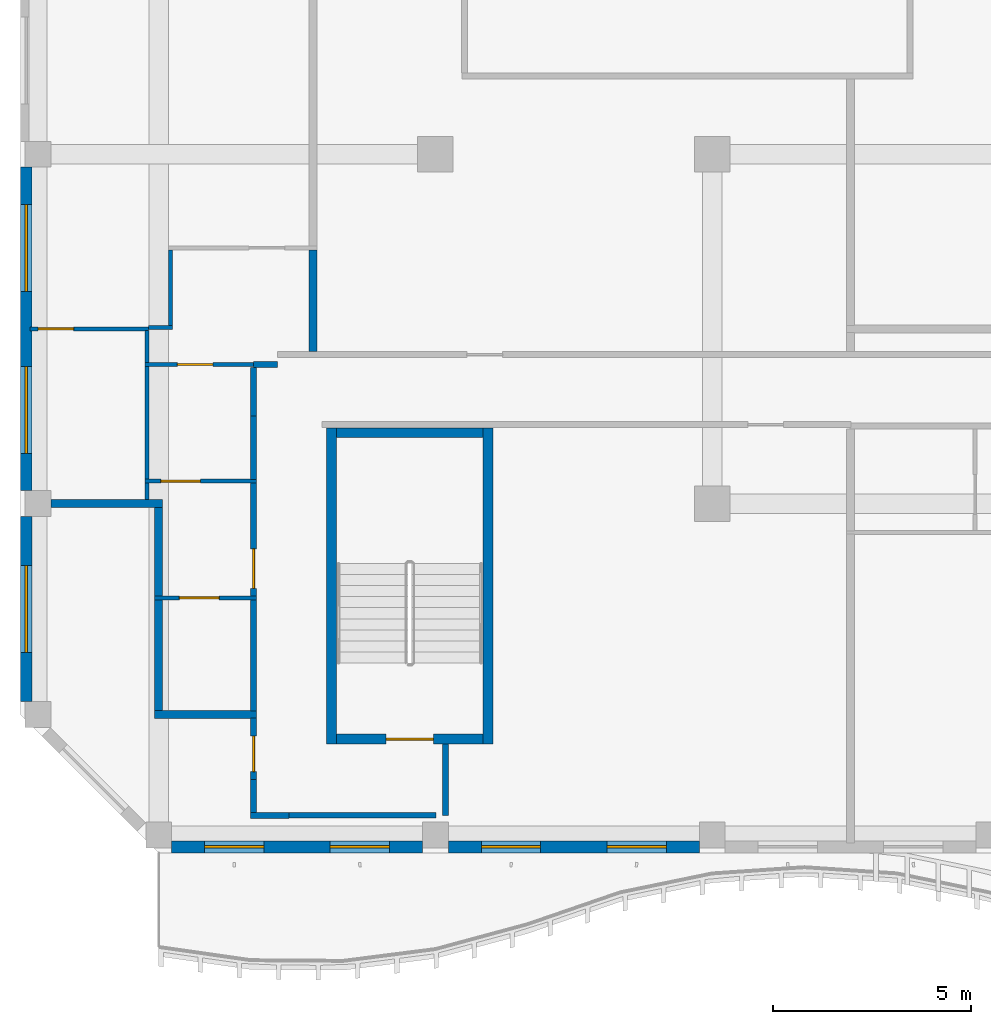
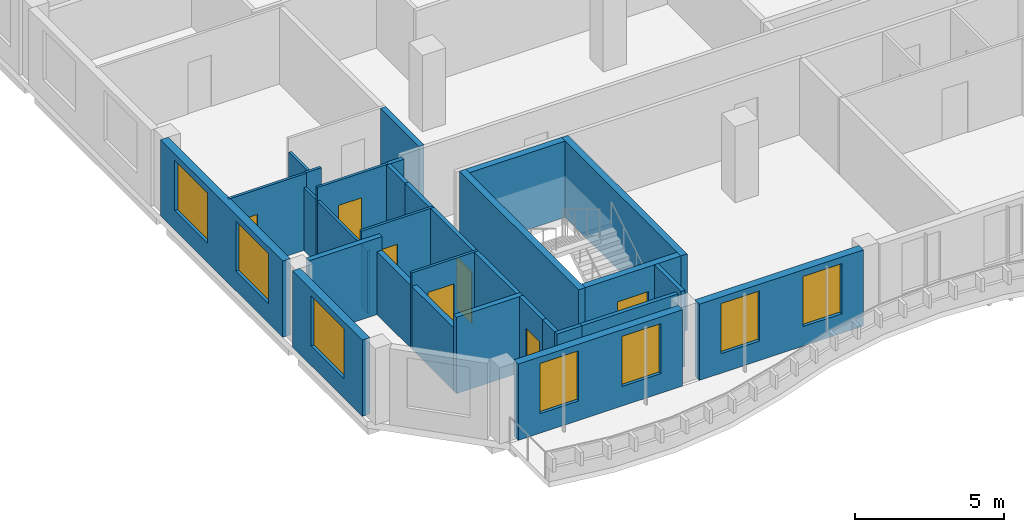
# One storey, part 2 of 17: 32 walls, 7 doors, 7 windows, 14 openings.
"""IFC4 building model written with IfcOpenShell, lengths in metres."""

from ifc_helpers import new_model, si_unit, direction, frame, frame_2d, origin, place, context, subcontext, project, spatial, rectangle, extrude, source, transform, mapped, material, layer, layer_set, type_object, element, fill, save


model = new_model("IFC4")

# Units and contexts
model_context = context("Model", 3, precision=1e-05, world=origin(), true_north=direction((0.0, 1.0)))
body_context = subcontext(model_context, "Body", "Model", "MODEL_VIEW")
ifc_project = project(units=[si_unit("LENGTHUNIT", "METRE"), si_unit("AREAUNIT", "SQUARE_METRE"), si_unit("VOLUMEUNIT", "CUBIC_METRE"), si_unit("PLANEANGLEUNIT", "RADIAN"), si_unit("MASSUNIT", "GRAM", prefix="KILO")], contexts=[model_context])

# Site, building, storey
site_placement = place(None, origin())
site = spatial("IfcSite", under=ifc_project, at=site_placement, CompositionType="ELEMENT")
building_placement = place(site_placement, origin())
building = spatial("IfcBuilding", under=site, at=building_placement, Name="Kilnfold Tower and Market Hall", CompositionType="ELEMENT")
storey_placement = place(building_placement, frame((0.0, 0.0, 273.800048828125)))
storey = spatial("IfcBuildingStorey", under=building, at=storey_placement, Name="L67", CompositionType="ELEMENT", Elevation=273.800048828125)

# Wall
ifc_material_1 = material(Name="Gypsum board on steel studs", Category="steel")
ifc_layer_1 = layer(ifc_material_1, 0.14990234375)
ifc_layer_set_1 = layer_set([ifc_layer_1], Name="Gypsum board on steel studs")
wall_type_1 = type_object("IfcWallType", Name="WALL CORRIDOR 150", PredefinedType="PARTITIONING", material=ifc_layer_set_1)
wall_1_placement = place(storey_placement, frame((-19.60009765625, -14.909912109375, 0.0), z_axis=(0.0, 0.0, 1.0), x_axis=(0.0, 1.0, 0.0)))
element("IfcWall", 1, at=wall_1_placement, inside=storey, type_object=wall_type_1, Name="Partition LY41.1", PredefinedType="PARTITIONING", context=body_context, shape_type="SweptSolid", body=[
    extrude(rectangle(XDim=2.81982421875, YDim=0.14990234375, at=frame_2d((1.409912109375, 0.0))), origin(), (0.0, 0.0, 1.0), 3.119873046875),
])

# Wall, opening, door
wall_2_placement = place(storey_placement, frame((-19.60009765625, -12.010009765625, 0.0), z_axis=(0.0, 0.0, 1.0), x_axis=(0.0, 1.0, 0.0)))
wall_2 = element("IfcWall", 2, at=wall_2_placement, inside=storey, type_object=wall_type_1, Name="Partition LY41.2", PredefinedType="PARTITIONING", context=body_context, shape_type="SweptSolid", body=[
    extrude(rectangle(XDim=2.8701171875, YDim=0.14990234375, at=frame_2d((1.43505859375, 0.0))), origin(), (0.0, 0.0, 1.0), 3.119873046875),
])
opening_1_placement = place(wall_2_placement, frame((0.199951171875, 0.0, 0.0)))
opening_1 = element("IfcOpeningElement", 3, at=opening_1_placement, cuts=wall_2, Name="Opening D1", PredefinedType="OPENING", context=body_context, shape_type="SweptSolid", body=[
    extrude(rectangle(XDim=1.0, YDim=2.10009765625, at=frame_2d((0.5, 1.050048828125))), frame((0.0, 0.0849609375, 0.0), z_axis=(0.0, -1.0, 0.0), x_axis=(1.0, 0.0, 0.0)), (0.0, 0.0, 1.0), 0.169921875),
])
ifc_material_2 = material(Name="Timber veneer door leaf in steel frame", Category="steel")
door_type_1 = type_object("IfcDoorType", Name="DOOR ENTRY 1000 X2100", OperationType="NOTDEFINED", PredefinedType="DOOR", material=ifc_material_2)
door_1_placement = place(opening_1_placement, origin())
door_1 = element("IfcDoor", 4, at=door_1_placement, inside=storey, type_object=door_type_1, Name="Door D1", OperationType="SINGLE_SWING_LEFT", OverallHeight=2.10009765625, OverallWidth=1.0, PredefinedType="DOOR", context=body_context, shape_type="SweptSolid", body=[
    extrude(rectangle(XDim=1.0, YDim=2.10009765625, at=frame_2d((0.5, 1.050048828125))), frame((0.0, 0.02490234375, 0.0), z_axis=(0.0, -1.0, 0.0), x_axis=(1.0, 0.0, 0.0)), (0.0, 0.0, 1.0), 0.050048828125),
])
fill(opening_1, door_1)

# Walls
wall_3_placement = place(storey_placement, frame((-19.60009765625, -9.06005859375, 0.0), z_axis=(0.0, 0.0, 1.0), x_axis=(0.0, 1.0, 0.0)))
element("IfcWall", 5, at=wall_3_placement, inside=storey, type_object=wall_type_1, Name="Partition LY41.3", PredefinedType="PARTITIONING", context=body_context, shape_type="SweptSolid", body=[
    extrude(rectangle(XDim=1.608154296875, YDim=0.14990234375, at=frame_2d((0.80419921875, 0.0))), origin(), (0.0, 0.0, 1.0), 3.119873046875),
])
wall_4_placement = place(storey_placement, frame((-19.60205078125, -7.451904296875, 0.0), z_axis=(0.0, 0.0, 1.0), x_axis=(0.0, 1.0, 0.0)))
element("IfcWall", 6, at=wall_4_placement, inside=storey, type_object=wall_type_1, Name="Partition LY41.4", PredefinedType="PARTITIONING", context=body_context, shape_type="SweptSolid", body=[
    extrude(rectangle(XDim=1.22900390625, YDim=0.14990234375, at=frame_2d((0.614501953125, 0.0))), origin(), (0.0, 0.0, 1.0), 3.119873046875),
])
wall_5_placement = place(storey_placement, frame((-19.0, -6.14794921875, 0.0), z_axis=(0.0, 0.0, 1.0), x_axis=(-1.0, 0.0, 0.0)))
element("IfcWall", 7, at=wall_5_placement, inside=storey, type_object=wall_type_1, Name="Partition LY41.5", PredefinedType="PARTITIONING", context=body_context, shape_type="SweptSolid", body=[
    extrude(rectangle(XDim=0.60205078125, YDim=0.14990234375, at=frame_2d((0.301025390625, 0.0))), origin(), (0.0, 0.0, 1.0), 3.119873046875),
])
wall_6_placement = place(storey_placement, frame((-14.75, -17.550048828125, 0.0), z_axis=(0.0, 0.0, 1.0), x_axis=(0.0, 1.0, 0.0)))
element("IfcWall", 8, at=wall_6_placement, inside=storey, type_object=wall_type_1, Name="Partition LY41.10", PredefinedType="PARTITIONING", context=body_context, shape_type="SweptSolid", body=[
    extrude(rectangle(XDim=1.800048828125, YDim=0.14990234375, at=frame_2d((0.89990234375, 0.0))), origin(), (0.0, 0.0, 1.0), 3.119873046875),
])

# Wall, opening, door
wall_7_placement = place(storey_placement, frame((-19.60009765625, -16.64794921875, 0.0), z_axis=(0.0, 0.0, 1.0), x_axis=(0.0, 1.0, 0.0)))
wall_7 = element("IfcWall", 9, at=wall_7_placement, inside=storey, type_object=wall_type_1, Name="Partition LY41.11", PredefinedType="PARTITIONING", context=body_context, shape_type="SweptSolid", body=[
    extrude(rectangle(XDim=1.557861328125, YDim=0.14990234375, at=frame_2d((0.77880859375, 0.0))), origin(), (0.0, 0.0, 1.0), 3.119873046875),
])
opening_2_placement = place(wall_7_placement, frame((0.199951171875, 0.0, 0.0)))
opening_2 = element("IfcOpeningElement", 10, at=opening_2_placement, cuts=wall_7, Name="Opening D2", PredefinedType="OPENING", context=body_context, shape_type="SweptSolid", body=[
    extrude(rectangle(XDim=0.89990234375, YDim=2.10009765625, at=frame_2d((0.449951171875, 1.050048828125))), frame((0.0, 0.0849609375, 0.0), z_axis=(0.0, -1.0, 0.0), x_axis=(1.0, 0.0, 0.0)), (0.0, 0.0, 1.0), 0.169921875),
])
ifc_material_3 = material(Name="Timber veneer door leaf in steel frame", Category="steel")
door_type_2 = type_object("IfcDoorType", Name="DOOR ROOM 900 X2100", OperationType="NOTDEFINED", PredefinedType="DOOR", material=ifc_material_3)
door_2_placement = place(opening_2_placement, origin())
door_2 = element("IfcDoor", 11, at=door_2_placement, inside=storey, type_object=door_type_2, Name="Door D2", OperationType="SINGLE_SWING_LEFT", OverallHeight=2.10009765625, OverallWidth=0.89990234375, PredefinedType="DOOR", context=body_context, shape_type="SweptSolid", body=[
    extrude(rectangle(XDim=0.89990234375, YDim=2.10009765625, at=frame_2d((0.449951171875, 1.050048828125))), frame((0.0, 0.02490234375, 0.0), z_axis=(0.0, -1.0, 0.0), x_axis=(1.0, 0.0, 0.0)), (0.0, 0.0, 1.0), 0.050048828125),
])
fill(opening_2, door_2)

# Walls
wall_8_placement = place(storey_placement, frame((-18.697998046875, -17.550048828125, 0.0), z_axis=(0.0, 0.0, 1.0), x_axis=(1.0, 0.0, 0.0)))
element("IfcWall", 12, at=wall_8_placement, inside=storey, type_object=wall_type_1, Name="Partition LY41.12", PredefinedType="PARTITIONING", context=body_context, shape_type="SweptSolid", body=[
    extrude(rectangle(XDim=3.7080078125, YDim=0.14990234375, at=frame_2d((1.85400390625, 0.0))), origin(), (0.0, 0.0, 1.0), 3.119873046875),
])
wall_9_placement = place(storey_placement, frame((-19.677001953125, -17.552001953125, 0.0), z_axis=(0.0, 0.0, 1.0), x_axis=(1.0, 0.0, 0.0)))
element("IfcWall", 13, at=wall_9_placement, inside=storey, type_object=wall_type_1, Name="Partition LY41.13", PredefinedType="PARTITIONING", context=body_context, shape_type="SweptSolid", body=[
    extrude(rectangle(XDim=0.97900390625, YDim=0.14990234375, at=frame_2d((0.489501953125, 0.0))), origin(), (0.0, 0.0, 1.0), 3.119873046875),
])
wall_10_placement = place(storey_placement, frame((-19.60205078125, -17.47705078125, 0.0), z_axis=(0.0, 0.0, 1.0), x_axis=(0.0, 1.0, 0.0)))
element("IfcWall", 14, at=wall_10_placement, inside=storey, type_object=wall_type_1, Name="Partition LY41.14", PredefinedType="PARTITIONING", context=body_context, shape_type="SweptSolid", body=[
    extrude(rectangle(XDim=0.8291015625, YDim=0.14990234375, at=frame_2d((0.41455078125, 0.0))), origin(), (0.0, 0.0, 1.0), 3.119873046875),
])

# Wall, opening, door
ifc_material_4 = material(Name="Gypsum board on steel studs", Category="steel")
ifc_layer_2 = layer(ifc_material_4, 0.10009765625)
ifc_layer_set_2 = layer_set([ifc_layer_2], Name="Gypsum board on steel studs")
wall_type_2 = type_object("IfcWallType", Name="WALL PARTITION 100", PredefinedType="PARTITIONING", material=ifc_layer_set_2)
wall_11_placement = place(storey_placement, frame((-19.527099609375, -12.050048828125, 0.0), z_axis=(0.0, 0.0, 1.0), x_axis=(-1.0, 0.0, 0.0)))
wall_11 = element("IfcWall", 15, at=wall_11_placement, inside=storey, type_object=wall_type_2, Name="Partition LY41.37", PredefinedType="PARTITIONING", context=body_context, shape_type="SweptSolid", body=[
    extrude(rectangle(XDim=2.572998046875, YDim=0.10009765625, at=frame_2d((1.28662109375, 0.0))), origin(), (0.0, 0.0, 1.0), 3.119873046875),
])
opening_3_placement = place(wall_11_placement, frame((0.946044921875, 0.0, 0.0)))
opening_3 = element("IfcOpeningElement", 16, at=opening_3_placement, cuts=wall_11, Name="Opening D1", PredefinedType="OPENING", context=body_context, shape_type="SweptSolid", body=[
    extrude(rectangle(XDim=1.0, YDim=2.10009765625, at=frame_2d((0.5, 1.050048828125))), frame((0.0, 0.06005859375, 0.0), z_axis=(0.0, -1.0, 0.0), x_axis=(1.0, 0.0, 0.0)), (0.0, 0.0, 1.0), 0.1201171875),
])
door_3_placement = place(opening_3_placement, origin())
door_3 = element("IfcDoor", 17, at=door_3_placement, inside=storey, type_object=door_type_1, Name="Door D1", OperationType="SINGLE_SWING_LEFT", OverallHeight=2.10009765625, OverallWidth=1.0, PredefinedType="DOOR", context=body_context, shape_type="SweptSolid", body=[
    extrude(rectangle(XDim=1.0, YDim=2.10009765625, at=frame_2d((0.5, 1.050048828125))), frame((0.0, 0.02490234375, 0.0), z_axis=(0.0, -1.0, 0.0), x_axis=(1.0, 0.0, 0.0)), (0.0, 0.0, 1.0), 0.050048828125),
])
fill(opening_3, door_3)

wall_12_placement = place(storey_placement, frame((-19.527099609375, -9.10009765625, 0.0), z_axis=(0.0, 0.0, 1.0), x_axis=(-1.0, 0.0, 0.0)))
wall_12 = element("IfcWall", 18, at=wall_12_placement, inside=storey, type_object=wall_type_2, Name="Partition LY41.40", PredefinedType="PARTITIONING", context=body_context, shape_type="SweptSolid", body=[
    extrude(rectangle(XDim=2.822998046875, YDim=0.10009765625, at=frame_2d((1.41162109375, 0.0))), origin(), (0.0, 0.0, 1.0), 3.119873046875),
])
opening_4_placement = place(wall_12_placement, frame((1.419921875, 0.0, 0.0)))
opening_4 = element("IfcOpeningElement", 19, at=opening_4_placement, cuts=wall_12, Name="Opening D1", PredefinedType="OPENING", context=body_context, shape_type="SweptSolid", body=[
    extrude(rectangle(XDim=1.0, YDim=2.10009765625, at=frame_2d((0.5, 1.050048828125))), frame((0.0, 0.06005859375, 0.0), z_axis=(0.0, -1.0, 0.0), x_axis=(1.0, 0.0, 0.0)), (0.0, 0.0, 1.0), 0.1201171875),
])
door_4_placement = place(opening_4_placement, origin())
door_4 = element("IfcDoor", 20, at=door_4_placement, inside=storey, type_object=door_type_1, Name="Door D1", OperationType="SINGLE_SWING_LEFT", OverallHeight=2.10009765625, OverallWidth=1.0, PredefinedType="DOOR", context=body_context, shape_type="SweptSolid", body=[
    extrude(rectangle(XDim=1.0, YDim=2.10009765625, at=frame_2d((0.5, 1.050048828125))), frame((0.0, 0.02490234375, 0.0), z_axis=(0.0, -1.0, 0.0), x_axis=(1.0, 0.0, 0.0)), (0.0, 0.0, 1.0), 0.050048828125),
])
fill(opening_4, door_4)

# Wall
wall_13_placement = place(storey_placement, frame((-22.300048828125, -9.56689453125, 0.0), z_axis=(0.0, 0.0, 1.0), x_axis=(0.0, 1.0, 0.0)))
element("IfcWall", 21, at=wall_13_placement, inside=storey, type_object=wall_type_2, Name="Partition LY41.41", PredefinedType="PARTITIONING", context=body_context, shape_type="SweptSolid", body=[
    extrude(rectangle(XDim=0.4169921875, YDim=0.10009765625, at=frame_2d((0.20849609375, 0.0))), origin(), (0.0, 0.0, 1.0), 2.570068359375),
])

# Wall, opening, door
wall_14_placement = place(storey_placement, frame((-19.60205078125, -6.14990234375, 0.0), z_axis=(0.0, 0.0, 1.0), x_axis=(-1.0, 0.0, 0.0)))
wall_14 = element("IfcWall", 22, at=wall_14_placement, inside=storey, type_object=wall_type_2, Name="Partition LY41.43", PredefinedType="PARTITIONING", context=body_context, shape_type="SweptSolid", body=[
    extrude(rectangle(XDim=2.748046875, YDim=0.10009765625, at=frame_2d((1.3740234375, 0.0))), origin(), (0.0, 0.0, 1.0), 3.119873046875),
])
opening_5_placement = place(wall_14_placement, frame((1.027099609375, 0.0, 0.0)))
opening_5 = element("IfcOpeningElement", 23, at=opening_5_placement, cuts=wall_14, Name="Opening D2", PredefinedType="OPENING", context=body_context, shape_type="SweptSolid", body=[
    extrude(rectangle(XDim=0.89990234375, YDim=2.10009765625, at=frame_2d((0.449951171875, 1.050048828125))), frame((0.0, 0.06005859375, 0.0), z_axis=(0.0, -1.0, 0.0), x_axis=(1.0, 0.0, 0.0)), (0.0, 0.0, 1.0), 0.1201171875),
])
door_5_placement = place(opening_5_placement, origin())
door_5 = element("IfcDoor", 24, at=door_5_placement, inside=storey, type_object=door_type_2, Name="Door D2", OperationType="SINGLE_SWING_LEFT", OverallHeight=2.10009765625, OverallWidth=0.89990234375, PredefinedType="DOOR", context=body_context, shape_type="SweptSolid", body=[
    extrude(rectangle(XDim=0.89990234375, YDim=2.10009765625, at=frame_2d((0.449951171875, 1.050048828125))), frame((0.0, 0.02490234375, 0.0), z_axis=(0.0, -1.0, 0.0), x_axis=(1.0, 0.0, 0.0)), (0.0, 0.0, 1.0), 0.050048828125),
])
fill(opening_5, door_5)

# Walls
wall_15_placement = place(storey_placement, frame((-22.300048828125, -9.050048828125, 0.0), z_axis=(0.0, 0.0, 1.0), x_axis=(0.0, 1.0, 0.0)))
element("IfcWall", 25, at=wall_15_placement, inside=storey, type_object=wall_type_2, Name="Partition LY41.44", PredefinedType="PARTITIONING", context=body_context, shape_type="SweptSolid", body=[
    extrude(rectangle(XDim=2.85009765625, YDim=0.10009765625, at=frame_2d((1.425048828125, 0.0))), origin(), (0.0, 0.0, 1.0), 2.570068359375),
])
wall_16_placement = place(storey_placement, frame((-22.300048828125, -6.10009765625, 0.0), z_axis=(0.0, 0.0, 1.0), x_axis=(0.0, 1.0, 0.0)))
element("IfcWall", 26, at=wall_16_placement, inside=storey, type_object=wall_type_2, Name="Partition LY41.45", PredefinedType="PARTITIONING", context=body_context, shape_type="SweptSolid", body=[
    extrude(rectangle(XDim=0.81005859375, YDim=0.10009765625, at=frame_2d((0.405029296875, 0.0))), origin(), (0.0, 0.0, 1.0), 2.570068359375),
])
wall_17_placement = place(storey_placement, frame((-21.64990234375, -5.2119140625, 0.0), z_axis=(0.0, 0.0, 1.0), x_axis=(-1.0, 0.0, 0.0)))
element("IfcWall", 27, at=wall_17_placement, inside=storey, type_object=wall_type_2, Name="Partition LY41.46", PredefinedType="PARTITIONING", context=body_context, shape_type="SweptSolid", body=[
    extrude(rectangle(XDim=0.60205078125, YDim=0.10009765625, at=frame_2d((0.301025390625, 0.0))), origin(), (0.0, 0.0, 1.0), 3.119873046875),
])
wall_18_placement = place(storey_placement, frame((-21.699951171875, -5.162109375, 0.0), z_axis=(0.0, 0.0, 1.0), x_axis=(0.0, 1.0, 0.0)))
element("IfcWall", 28, at=wall_18_placement, inside=storey, type_object=wall_type_2, Name="Partition LY41.47", PredefinedType="PARTITIONING", context=body_context, shape_type="SweptSolid", body=[
    extrude(rectangle(XDim=1.912109375, YDim=0.10009765625, at=frame_2d((0.9560546875, 0.0))), origin(), (0.0, 0.0, 1.0), 2.570068359375),
])

# Wall, opening, door
wall_19_placement = place(storey_placement, frame((-22.251953125, -5.25, 0.0), z_axis=(0.0, 0.0, 1.0), x_axis=(-1.0, 0.0, 0.0)))
wall_19 = element("IfcWall", 29, at=wall_19_placement, inside=storey, type_object=wall_type_2, Name="Partition LY41.50", PredefinedType="PARTITIONING", context=body_context, shape_type="SweptSolid", body=[
    extrude(rectangle(XDim=2.998046875, YDim=0.10009765625, at=frame_2d((1.4990234375, 0.0))), origin(), (0.0, 0.0, 1.0), 3.119873046875),
])
opening_6_placement = place(wall_19_placement, frame((1.89794921875, 0.0, 0.0)))
opening_6 = element("IfcOpeningElement", 30, at=opening_6_placement, cuts=wall_19, Name="Opening D2", PredefinedType="OPENING", context=body_context, shape_type="SweptSolid", body=[
    extrude(rectangle(XDim=0.89990234375, YDim=2.10009765625, at=frame_2d((0.449951171875, 1.050048828125))), frame((0.0, 0.06005859375, 0.0), z_axis=(0.0, -1.0, 0.0), x_axis=(1.0, 0.0, 0.0)), (0.0, 0.0, 1.0), 0.1201171875),
])
door_6_placement = place(opening_6_placement, origin())
door_6 = element("IfcDoor", 31, at=door_6_placement, inside=storey, type_object=door_type_2, Name="Door D2", OperationType="SINGLE_SWING_LEFT", OverallHeight=2.10009765625, OverallWidth=0.89990234375, PredefinedType="DOOR", context=body_context, shape_type="SweptSolid", body=[
    extrude(rectangle(XDim=0.89990234375, YDim=2.10009765625, at=frame_2d((0.449951171875, 1.050048828125))), frame((0.0, 0.02490234375, 0.0), z_axis=(0.0, -1.0, 0.0), x_axis=(1.0, 0.0, 0.0)), (0.0, 0.0, 1.0), 0.050048828125),
])
fill(opening_6, door_6)

# Walls
ifc_material_5 = material(Name="Gypsum board on steel studs", Category="steel")
ifc_layer_3 = layer(ifc_material_5, 0.199951171875)
ifc_layer_set_3 = layer_set([ifc_layer_3], Name="Gypsum board on steel studs")
wall_type_3 = type_object("IfcWallType", Name="WALL PARTY 200", PredefinedType="PARTITIONING", material=ifc_layer_set_3)
wall_20_placement = place(storey_placement, frame((-22.0, -14.89990234375, 0.0), z_axis=(0.0, 0.0, 1.0), x_axis=(0.0, 1.0, 0.0)))
element("IfcWall", 32, at=wall_20_placement, inside=storey, type_object=wall_type_3, Name="Partition LY41.38", PredefinedType="PARTITIONING", context=body_context, shape_type="SweptSolid", body=[
    extrude(rectangle(XDim=2.7998046875, YDim=0.199951171875, at=frame_2d((1.39990234375, 0.0))), origin(), (0.0, 0.0, 1.0), 2.570068359375),
])
wall_21_placement = place(storey_placement, frame((-22.10009765625, -15.0, 0.0), z_axis=(0.0, 0.0, 1.0), x_axis=(1.0, 0.0, 0.0)))
element("IfcWall", 33, at=wall_21_placement, inside=storey, type_object=wall_type_3, Name="Partition LY41.39", PredefinedType="PARTITIONING", context=body_context, shape_type="SweptSolid", body=[
    extrude(rectangle(XDim=2.572998046875, YDim=0.199951171875, at=frame_2d((1.28662109375, 0.0))), origin(), (0.0, 0.0, 1.0), 3.119873046875),
])
wall_22_placement = place(storey_placement, frame((-22.0, -12.0, 0.0), z_axis=(0.0, 0.0, 1.0), x_axis=(0.0, 1.0, 0.0)))
element("IfcWall", 34, at=wall_22_placement, inside=storey, type_object=wall_type_3, Name="Partition LY41.42", PredefinedType="PARTITIONING", context=body_context, shape_type="SweptSolid", body=[
    extrude(rectangle(XDim=2.23291015625, YDim=0.199951171875, at=frame_2d((1.116455078125, 0.0))), origin(), (0.0, 0.0, 1.0), 2.570068359375),
])
wall_23_placement = place(storey_placement, frame((-18.10009765625, -5.822998046875, 0.0), z_axis=(0.0, 0.0, 1.0), x_axis=(0.0, 1.0, 0.0)))
element("IfcWall", 35, at=wall_23_placement, inside=storey, type_object=wall_type_3, Name="Partition LY41.49", PredefinedType="PARTITIONING", context=body_context, shape_type="SweptSolid", body=[
    extrude(rectangle(XDim=2.572998046875, YDim=0.199951171875, at=frame_2d((1.28662109375, 0.0))), origin(), (0.0, 0.0, 1.0), 3.119873046875),
])
wall_24_placement = place(storey_placement, frame((-24.72509765625, -9.6669921875, 0.0), z_axis=(0.0, 0.0, 1.0), x_axis=(1.0, 0.0, 0.0)))
element("IfcWall", 36, at=wall_24_placement, inside=storey, type_object=wall_type_3, Name="Partition LY41.51", PredefinedType="PARTITIONING", context=body_context, shape_type="SweptSolid", body=[
    extrude(rectangle(XDim=2.8251953125, YDim=0.199951171875, at=frame_2d((1.41259765625, 0.0))), origin(), (0.0, 0.0, 1.0), 3.119873046875),
])

# Wall, opening, door
ifc_material_6 = material(Name="Concrete C50", Category="concrete")
ifc_layer_4 = layer(ifc_material_6, 0.25)
ifc_layer_set_4 = layer_set([ifc_layer_4], Name="Concrete C50")
wall_type_4 = type_object("IfcWallType", Name="CORE WALL 250 C50", PredefinedType="SHEAR", material=ifc_layer_set_4)
shared_shape_1 = source(origin(), body_context, "Body", "SweptSolid", [
    extrude(rectangle(XDim=3.699951171875, YDim=0.25, at=frame_2d((1.85009765625, 0.0))), origin(), (0.0, 0.0, 1.0), 3.119873046875),
])
wall_25_placement = place(storey_placement, frame((-17.5, -15.625, 0.0), z_axis=(0.0, 0.0, 1.0), x_axis=(1.0, 0.0, 0.0)))
wall_25 = element("IfcWall", 37, at=wall_25_placement, inside=storey, type_object=wall_type_4, Name="Stair enclosure ST3", PredefinedType="SHEAR", context=body_context, shape_type="MappedRepresentation", body=[
    mapped(shared_shape_1, transform((0.0, 0.0, 0.0))),
])
opening_7_placement = place(wall_25_placement, frame((1.25, 0.0, 0.0)))
opening_7 = element("IfcOpeningElement", 38, at=opening_7_placement, cuts=wall_25, Name="Opening SD1", PredefinedType="OPENING", context=body_context, shape_type="SweptSolid", body=[
    extrude(rectangle(XDim=1.199951171875, YDim=2.10009765625, at=frame_2d((0.60009765625, 1.050048828125))), frame((0.0, 0.135009765625, 0.0), z_axis=(0.0, -1.0, 0.0), x_axis=(1.0, 0.0, 0.0)), (0.0, 0.0, 1.0), 0.27001953125),
])
ifc_material_7 = material(Name="Steel door set with fire-resisting leaf", Category="steel")
door_type_3 = type_object("IfcDoorType", Name="STAIR FLOOR DOOR 1200X2100", OperationType="NOTDEFINED", PredefinedType="DOOR", material=ifc_material_7)
door_7_placement = place(opening_7_placement, origin())
door_7 = element("IfcDoor", 39, at=door_7_placement, inside=storey, type_object=door_type_3, Name="Exit stair ST3 door", OperationType="DOUBLE_DOOR_SINGLE_SWING", OverallHeight=2.10009765625, OverallWidth=1.199951171875, PredefinedType="DOOR", context=body_context, shape_type="SweptSolid", body=[
    extrude(rectangle(XDim=1.199951171875, YDim=2.10009765625, at=frame_2d((0.60009765625, 1.050048828125))), frame((0.0, 0.02490234375, 0.0), z_axis=(0.0, -1.0, 0.0), x_axis=(1.0, 0.0, 0.0)), (0.0, 0.0, 1.0), 0.050048828125),
])
fill(opening_7, door_7)

# Walls
wall_26_placement = place(storey_placement, frame((-17.5, -7.875, 0.0), z_axis=(0.0, 0.0, 1.0), x_axis=(1.0, 0.0, 0.0)))
element("IfcWall", 40, at=wall_26_placement, inside=storey, type_object=wall_type_4, Name="Stair enclosure ST3", PredefinedType="SHEAR", context=body_context, shape_type="MappedRepresentation", body=[
    mapped(shared_shape_1, transform((0.0, 0.0, 0.0))),
])
shared_shape_2 = source(origin(), body_context, "Body", "SweptSolid", [
    extrude(rectangle(XDim=8.0, YDim=0.25, at=frame_2d((4.0, 0.0))), origin(), (0.0, 0.0, 1.0), 3.119873046875),
])
for number, where, z_axis, x_axis, name in (
    (41, (-17.625, -15.75, 0.0), (0.0, 0.0, 1.0), (0.0, 1.0, 0.0), "Stair enclosure ST3"),
    (42, (-13.675048828125, -15.75, 0.0), (0.0, 0.0, 1.0), (0.0, 1.0, 0.0), "Stair enclosure ST3"),
):
    element("IfcWall", number, at=place(storey_placement, frame(where, z_axis=z_axis, x_axis=x_axis)), inside=storey, type_object=wall_type_4, Name=name, PredefinedType="SHEAR", context=body_context, shape_type="MappedRepresentation", body=[
        mapped(shared_shape_2, transform((0.0, 0.0, 0.0))),
    ])

# Wall, openings, windows
ifc_material_8 = material(Name="Precast concrete C50/60", Category="concrete")
ifc_layer_5 = layer(ifc_material_8, 0.300048828125)
ifc_layer_set_5 = layer_set([ifc_layer_5], Name="Precast concrete C50/60")
wall_type_5 = type_object("IfcWallType", Name="PRECAST WALL 300", PredefinedType="SOLIDWALL", material=ifc_layer_set_5)
shared_shape_3 = source(origin(), body_context, "Body", "SweptSolid", [
    extrude(rectangle(XDim=6.35009765625, YDim=0.300048828125, at=frame_2d((3.175048828125, 0.0))), origin(), (0.0, 0.0, 1.0), 3.119873046875),
])
wall_27_placement = place(storey_placement, frame((-21.675048828125, -18.35009765625, 0.0), z_axis=(0.0, 0.0, 1.0), x_axis=(1.0, 0.0, 0.0)))
wall_27 = element("IfcWall", 43, at=wall_27_placement, inside=storey, type_object=wall_type_5, Name="External wall L67 S", PredefinedType="SOLIDWALL", context=body_context, shape_type="MappedRepresentation", body=[
    mapped(shared_shape_3, transform((0.0, 0.0, 0.0))),
])
opening_8_placement = place(wall_27_placement, frame((0.83740234375, 0.0, 0.800048828125)))
opening_8 = element("IfcOpeningElement", 44, at=opening_8_placement, cuts=wall_27, Name="Opening W5", PredefinedType="OPENING", context=body_context, shape_type="SweptSolid", body=[
    extrude(rectangle(XDim=1.5, YDim=2.050048828125, at=frame_2d((0.75, 1.02490234375))), frame((0.0, 0.16015625, 0.0), z_axis=(0.0, -1.0, 0.0), x_axis=(1.0, 0.0, 0.0)), (0.0, 0.0, 1.0), 0.320068359375),
])
opening_9_placement = place(wall_27_placement, frame((4.012451171875, 0.0, 0.800048828125)))
opening_9 = element("IfcOpeningElement", 45, at=opening_9_placement, cuts=wall_27, Name="Opening W5", PredefinedType="OPENING", context=body_context, shape_type="SweptSolid", body=[
    extrude(rectangle(XDim=1.5, YDim=2.050048828125, at=frame_2d((0.75, 1.02490234375))), frame((0.0, 0.16015625, 0.0), z_axis=(0.0, -1.0, 0.0), x_axis=(1.0, 0.0, 0.0)), (0.0, 0.0, 1.0), 0.320068359375),
])
ifc_material_9 = material(Name="Aluminium frame and double glazing", Category="aluminium")
window_type_1 = type_object("IfcWindowType", Name="WINDOW W5 1500X2050", PartitioningType="SINGLE_PANEL", PredefinedType="WINDOW", material=ifc_material_9)
window_1_placement = place(opening_8_placement, origin())
window_1 = element("IfcWindow", 46, at=window_1_placement, inside=storey, type_object=window_type_1, Name="Window W5 L67 S-1", OverallHeight=2.050048828125, OverallWidth=1.5, PartitioningType="SINGLE_PANEL", PredefinedType="WINDOW", context=body_context, shape_type="SweptSolid", body=[
    extrude(rectangle(XDim=1.5, YDim=2.050048828125, at=frame_2d((0.75, 1.02490234375))), frame((0.0, 0.030029296875, 0.0), z_axis=(0.0, -1.0, 0.0), x_axis=(1.0, 0.0, 0.0)), (0.0, 0.0, 1.0), 0.06005859375),
])
fill(opening_8, window_1)
window_2_placement = place(opening_9_placement, origin())
window_2 = element("IfcWindow", 47, at=window_2_placement, inside=storey, type_object=window_type_1, Name="Window W5 L67 S-2", OverallHeight=2.050048828125, OverallWidth=1.5, PartitioningType="SINGLE_PANEL", PredefinedType="WINDOW", context=body_context, shape_type="SweptSolid", body=[
    extrude(rectangle(XDim=1.5, YDim=2.050048828125, at=frame_2d((0.75, 1.02490234375))), frame((0.0, 0.030029296875, 0.0), z_axis=(0.0, -1.0, 0.0), x_axis=(1.0, 0.0, 0.0)), (0.0, 0.0, 1.0), 0.06005859375),
])
fill(opening_9, window_2)

wall_28_placement = place(storey_placement, frame((-14.675048828125, -18.35009765625, 0.0), z_axis=(0.0, 0.0, 1.0), x_axis=(1.0, 0.0, 0.0)))
wall_28 = element("IfcWall", 48, at=wall_28_placement, inside=storey, type_object=wall_type_5, Name="External wall L67 S", PredefinedType="SOLIDWALL", context=body_context, shape_type="MappedRepresentation", body=[
    mapped(shared_shape_3, transform((0.0, 0.0, 0.0))),
])
opening_10_placement = place(wall_28_placement, frame((0.83740234375, 0.0, 0.800048828125)))
opening_10 = element("IfcOpeningElement", 49, at=opening_10_placement, cuts=wall_28, Name="Opening W5", PredefinedType="OPENING", context=body_context, shape_type="SweptSolid", body=[
    extrude(rectangle(XDim=1.5, YDim=2.050048828125, at=frame_2d((0.75, 1.02490234375))), frame((0.0, 0.16015625, 0.0), z_axis=(0.0, -1.0, 0.0), x_axis=(1.0, 0.0, 0.0)), (0.0, 0.0, 1.0), 0.320068359375),
])
opening_11_placement = place(wall_28_placement, frame((4.012451171875, 0.0, 0.800048828125)))
opening_11 = element("IfcOpeningElement", 50, at=opening_11_placement, cuts=wall_28, Name="Opening W5", PredefinedType="OPENING", context=body_context, shape_type="SweptSolid", body=[
    extrude(rectangle(XDim=1.5, YDim=2.050048828125, at=frame_2d((0.75, 1.02490234375))), frame((0.0, 0.16015625, 0.0), z_axis=(0.0, -1.0, 0.0), x_axis=(1.0, 0.0, 0.0)), (0.0, 0.0, 1.0), 0.320068359375),
])
window_3_placement = place(opening_10_placement, origin())
window_3 = element("IfcWindow", 51, at=window_3_placement, inside=storey, type_object=window_type_1, Name="Window W5 L67 S-1", OverallHeight=2.050048828125, OverallWidth=1.5, PartitioningType="SINGLE_PANEL", PredefinedType="WINDOW", context=body_context, shape_type="SweptSolid", body=[
    extrude(rectangle(XDim=1.5, YDim=2.050048828125, at=frame_2d((0.75, 1.02490234375))), frame((0.0, 0.030029296875, 0.0), z_axis=(0.0, -1.0, 0.0), x_axis=(1.0, 0.0, 0.0)), (0.0, 0.0, 1.0), 0.06005859375),
])
fill(opening_10, window_3)
window_4_placement = place(opening_11_placement, origin())
window_4 = element("IfcWindow", 52, at=window_4_placement, inside=storey, type_object=window_type_1, Name="Window W5 L67 S-2", OverallHeight=2.050048828125, OverallWidth=1.5, PartitioningType="SINGLE_PANEL", PredefinedType="WINDOW", context=body_context, shape_type="SweptSolid", body=[
    extrude(rectangle(XDim=1.5, YDim=2.050048828125, at=frame_2d((0.75, 1.02490234375))), frame((0.0, 0.030029296875, 0.0), z_axis=(0.0, -1.0, 0.0), x_axis=(1.0, 0.0, 0.0)), (0.0, 0.0, 1.0), 0.06005859375),
])
fill(opening_11, window_4)

shared_shape_4 = source(origin(), body_context, "Body", "SweptSolid", [
    extrude(rectangle(XDim=8.18359375, YDim=0.300048828125, at=frame_2d((4.091796875, 0.0))), origin(), (0.0, 0.0, 1.0), 3.119873046875),
])
wall_29_placement = place(storey_placement, frame((-25.35009765625, -1.158203125, 0.0), z_axis=(0.0, 0.0, 1.0), x_axis=(0.0, -1.0, 0.0)))
wall_29 = element("IfcWall", 53, at=wall_29_placement, inside=storey, type_object=wall_type_5, Name="External wall L67 W", PredefinedType="SOLIDWALL", context=body_context, shape_type="MappedRepresentation", body=[
    mapped(shared_shape_4, transform((0.0, 0.0, 0.0))),
])
opening_12_placement = place(wall_29_placement, frame((0.94580078125, 0.0, 0.800048828125)))
opening_12 = element("IfcOpeningElement", 54, at=opening_12_placement, cuts=wall_29, Name="Opening W3", PredefinedType="OPENING", context=body_context, shape_type="SweptSolid", body=[
    extrude(rectangle(XDim=2.199951171875, YDim=2.050048828125, at=frame_2d((1.10009765625, 1.02490234375))), frame((0.0, 0.16015625, 0.0), z_axis=(0.0, -1.0, 0.0), x_axis=(1.0, 0.0, 0.0)), (0.0, 0.0, 1.0), 0.320068359375),
])
opening_13_placement = place(wall_29_placement, frame((5.03759765625, 0.0, 0.800048828125)))
opening_13 = element("IfcOpeningElement", 55, at=opening_13_placement, cuts=wall_29, Name="Opening W3", PredefinedType="OPENING", context=body_context, shape_type="SweptSolid", body=[
    extrude(rectangle(XDim=2.199951171875, YDim=2.050048828125, at=frame_2d((1.10009765625, 1.02490234375))), frame((0.0, 0.16015625, 0.0), z_axis=(0.0, -1.0, 0.0), x_axis=(1.0, 0.0, 0.0)), (0.0, 0.0, 1.0), 0.320068359375),
])
ifc_material_10 = material(Name="Aluminium frame and double glazing", Category="aluminium")
window_type_2 = type_object("IfcWindowType", Name="WINDOW W3 2200X2050", PartitioningType="SINGLE_PANEL", PredefinedType="WINDOW", material=ifc_material_10)
window_5_placement = place(opening_12_placement, origin())
window_5 = element("IfcWindow", 56, at=window_5_placement, inside=storey, type_object=window_type_2, Name="Window W3 L67 W-1", OverallHeight=2.050048828125, OverallWidth=2.199951171875, PartitioningType="SINGLE_PANEL", PredefinedType="WINDOW", context=body_context, shape_type="SweptSolid", body=[
    extrude(rectangle(XDim=2.199951171875, YDim=2.050048828125, at=frame_2d((1.10009765625, 1.02490234375))), frame((0.0, 0.030029296875, 0.0), z_axis=(0.0, -1.0, 0.0), x_axis=(1.0, 0.0, 0.0)), (0.0, 0.0, 1.0), 0.06005859375),
])
fill(opening_12, window_5)
window_6_placement = place(opening_13_placement, origin())
window_6 = element("IfcWindow", 57, at=window_6_placement, inside=storey, type_object=window_type_2, Name="Window W3 L67 W-2", OverallHeight=2.050048828125, OverallWidth=2.199951171875, PartitioningType="SINGLE_PANEL", PredefinedType="WINDOW", context=body_context, shape_type="SweptSolid", body=[
    extrude(rectangle(XDim=2.199951171875, YDim=2.050048828125, at=frame_2d((1.10009765625, 1.02490234375))), frame((0.0, 0.030029296875, 0.0), z_axis=(0.0, -1.0, 0.0), x_axis=(1.0, 0.0, 0.0)), (0.0, 0.0, 1.0), 0.06005859375),
])
fill(opening_13, window_6)

# Wall, opening, window
shared_shape_5 = source(origin(), body_context, "Body", "SweptSolid", [
    extrude(rectangle(XDim=4.683349609375, YDim=0.300048828125, at=frame_2d((2.341796875, 0.0))), origin(), (0.0, 0.0, 1.0), 3.119873046875),
])
wall_30_placement = place(storey_placement, frame((-25.35009765625, -9.99169921875, 0.0), z_axis=(0.0, 0.0, 1.0), x_axis=(0.0, -1.0, 0.0)))
wall_30 = element("IfcWall", 58, at=wall_30_placement, inside=storey, type_object=wall_type_5, Name="External wall L67 W", PredefinedType="SOLIDWALL", context=body_context, shape_type="MappedRepresentation", body=[
    mapped(shared_shape_5, transform((0.0, 0.0, 0.0))),
])
opening_14_placement = place(wall_30_placement, frame((1.24169921875, 0.0, 0.800048828125)))
opening_14 = element("IfcOpeningElement", 59, at=opening_14_placement, cuts=wall_30, Name="Opening W3", PredefinedType="OPENING", context=body_context, shape_type="SweptSolid", body=[
    extrude(rectangle(XDim=2.199951171875, YDim=2.050048828125, at=frame_2d((1.10009765625, 1.02490234375))), frame((0.0, 0.16015625, 0.0), z_axis=(0.0, -1.0, 0.0), x_axis=(1.0, 0.0, 0.0)), (0.0, 0.0, 1.0), 0.320068359375),
])
window_7_placement = place(opening_14_placement, origin())
window_7 = element("IfcWindow", 60, at=window_7_placement, inside=storey, type_object=window_type_2, Name="Window W3 L67 W-1", OverallHeight=2.050048828125, OverallWidth=2.199951171875, PartitioningType="SINGLE_PANEL", PredefinedType="WINDOW", context=body_context, shape_type="SweptSolid", body=[
    extrude(rectangle(XDim=2.199951171875, YDim=2.050048828125, at=frame_2d((1.10009765625, 1.02490234375))), frame((0.0, 0.030029296875, 0.0), z_axis=(0.0, -1.0, 0.0), x_axis=(1.0, 0.0, 0.0)), (0.0, 0.0, 1.0), 0.06005859375),
])
fill(opening_14, window_7)

save(model, "model.ifc")
